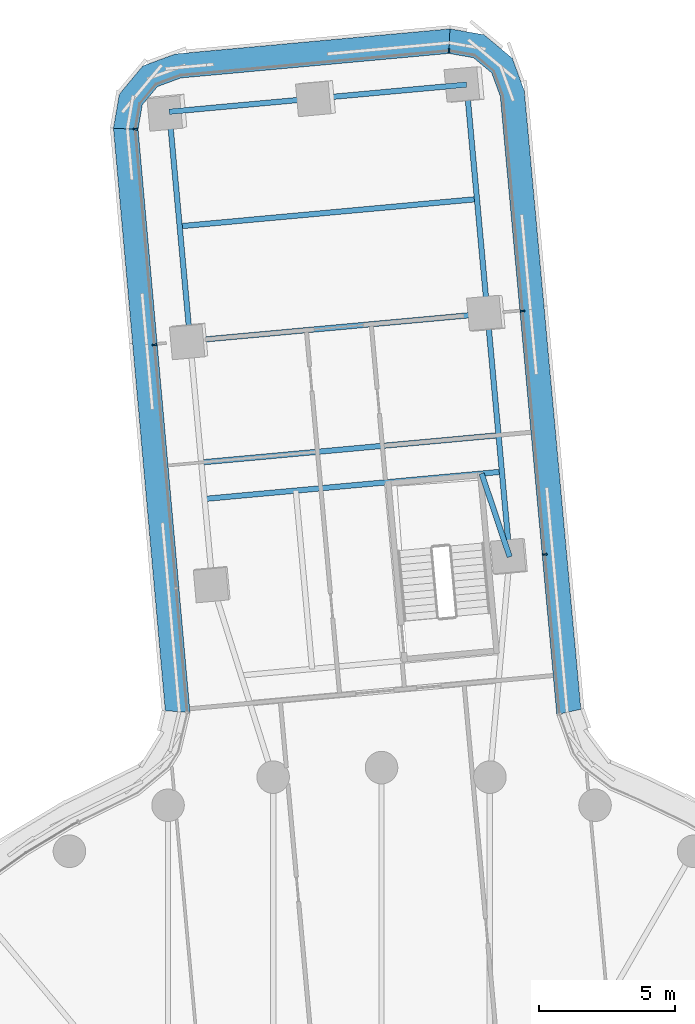
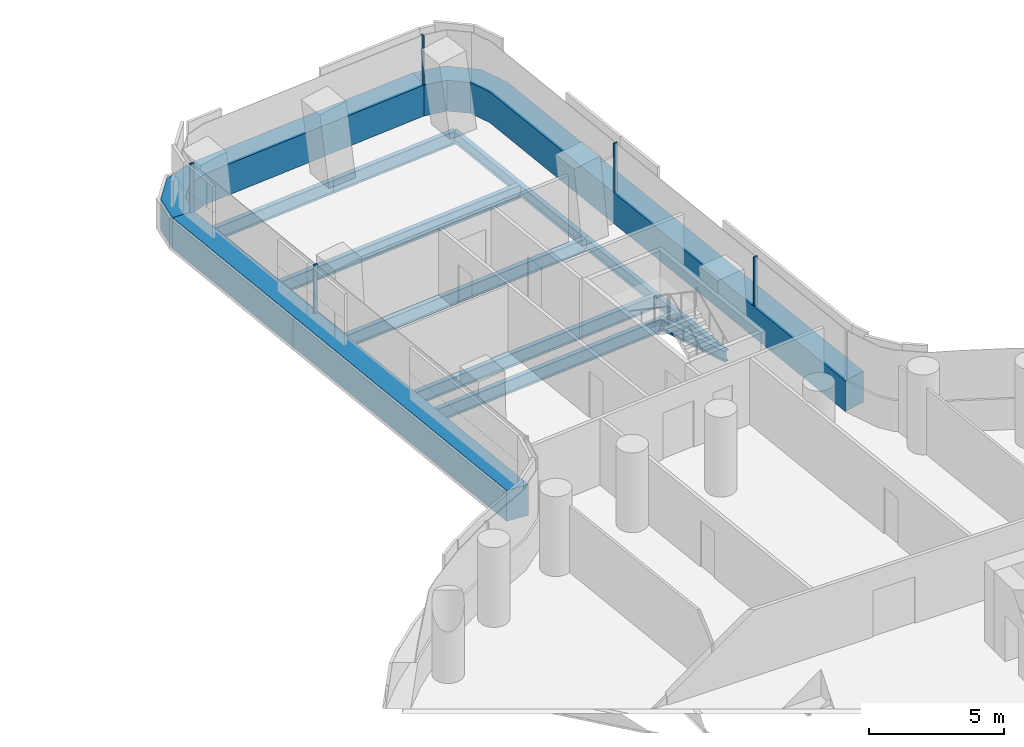
# One storey, part 15 of 31: 10 beams, 8 members, 3 elements without a shape of their own.
"""IFC4 building model written with IfcOpenShell, lengths in metres."""

from ifc_helpers import new_model, si_unit, direction, frame, origin, origin_2d, place, context, subcontext, project, spatial, polyline, rectangle, i_section, outline, extrude, material, layer, layer_set, material_profile, profile_set, type_object, element, aggregate, save


model = new_model("IFC4")

# Units and contexts
model_context = context("Model", 3, precision=1e-05, world=origin(), true_north=direction((0.0, 1.0)))
body_context = subcontext(model_context, "Body", "Model", "MODEL_VIEW")
ifc_project = project(units=[si_unit("LENGTHUNIT", "METRE"), si_unit("AREAUNIT", "SQUARE_METRE"), si_unit("VOLUMEUNIT", "CUBIC_METRE"), si_unit("PLANEANGLEUNIT", "RADIAN"), si_unit("MASSUNIT", "GRAM", prefix="KILO")], contexts=[model_context])

# Site, building, storey
site_placement = place(None, origin())
site = spatial("IfcSite", under=ifc_project, at=site_placement, CompositionType="ELEMENT")
building_placement = place(site_placement, origin())
building = spatial("IfcBuilding", under=site, at=building_placement, Name="Tamarind Cross Interchange Tower", CompositionType="ELEMENT")
storey_placement = place(building_placement, frame((0.0, 0.0, 52.75)))
storey = spatial("IfcBuildingStorey", under=building, at=storey_placement, Name="L11", CompositionType="ELEMENT", Elevation=52.75)

# Beams
ifc_material_1 = material(Name="Steel Q355B", Category="steel")
ifc_material_profile_1 = material_profile(ifc_material_1, i_section(OverallWidth=0.198974609375, OverallDepth=0.49609375, WebThickness=0.009033203125, FlangeThickness=0.013916015625, FilletRadius=0.012939453125, at=origin_2d()), Name="HN 496x199x9x14")
ifc_profile_set_1 = profile_set([ifc_material_profile_1], Name="Steel Q355B")
beam_type_1 = type_object("IfcBeamType", Name="Composite beam HN 496x199x9x14 Q355B", PredefinedType="BEAM", material=ifc_profile_set_1)
beam_1_placement = place(storey_placement, frame((3.13037109375, 48.16796875, -0.387939453125), z_axis=(0.091068244839, -0.995844653941, 0.0), x_axis=(0.995844653941, 0.091068244839, 0.0)))
element("IfcBeam", 1, at=beam_1_placement, inside=storey, type_object=beam_type_1, Name="Beam N-edgeem5", PredefinedType="BEAM", context=body_context, shape_type="SweptSolid", body=[
    extrude(i_section(OverallWidth=0.198974609375, OverallDepth=0.49609375, WebThickness=0.009033203125, FlangeThickness=0.013916015625, FilletRadius=0.012939453125, at=origin_2d()), origin(), (0.0, 0.0, 1.0), 8.47412109375),
])
beam_2_placement = place(storey_placement, frame((3.902099609375, 39.72900390625, -0.387939453125), z_axis=(0.091037133423, -0.995847498535, 0.0), x_axis=(0.995847498535, 0.091037133423, 0.0)))
element("IfcBeam", 2, at=beam_2_placement, inside=storey, type_object=beam_type_1, Name="Beam N-edgeem6", PredefinedType="BEAM", context=body_context, shape_type="SweptSolid", body=[
    extrude(i_section(OverallWidth=0.198974609375, OverallDepth=0.49609375, WebThickness=0.009033203125, FlangeThickness=0.013916015625, FilletRadius=0.012939453125, at=origin_2d()), origin(), (0.0, 0.0, 1.0), 9.0),
])
beam_3_placement = place(storey_placement, frame((-7.823974609375, 47.166259765625, -0.387939453125), z_axis=(0.091068244839, -0.995844653941, 0.0), x_axis=(0.995844653941, 0.091068244839, 0.0)))
element("IfcBeam", 3, at=beam_3_placement, inside=storey, type_object=beam_type_1, Name="Beam N-edgeep2", PredefinedType="BEAM", context=body_context, shape_type="SweptSolid", body=[
    extrude(i_section(OverallWidth=0.198974609375, OverallDepth=0.49609375, WebThickness=0.009033203125, FlangeThickness=0.013916015625, FilletRadius=0.012939453125, at=origin_2d()), origin(), (0.0, 0.0, 1.0), 8.47412109375),
])
beam_4_placement = place(storey_placement, frame((4.721435546875, 30.766357421875, -0.387939453125), z_axis=(-0.319234550756, 0.947675736528, 0.0), x_axis=(-0.947675736528, -0.319234550756, 0.0)))
element("IfcBeam", 4, at=beam_4_placement, inside=storey, type_object=beam_type_1, Name="Beam N-tr0", PredefinedType="BEAM", context=body_context, shape_type="SweptSolid", body=[
    extrude(i_section(OverallWidth=0.198974609375, OverallDepth=0.49609375, WebThickness=0.009033203125, FlangeThickness=0.013916015625, FilletRadius=0.012939453125, at=origin_2d()), origin(), (0.0, 0.0, 1.0), 3.238037109375),
])
ifc_material_profile_2 = material_profile(ifc_material_1, i_section(OverallWidth=0.199951171875, OverallDepth=0.60009765625, WebThickness=0.010986328125, FlangeThickness=0.01708984375, FilletRadius=0.012939453125, at=origin_2d()), Name="HN 600x200x11x17")
ifc_profile_set_2 = profile_set([ifc_material_profile_2], Name="Steel Q355B")
beam_type_2 = type_object("IfcBeamType", Name="Composite beam HN 600x200x11x17 Q355B", PredefinedType="BEAM", material=ifc_profile_set_2)
beam_5_placement = place(storey_placement, frame((3.13037109375, 48.16796875, -0.43994140625), z_axis=(-0.995842841789, -0.09108805881, 0.0), x_axis=(0.09108805881, -0.995842841789, 0.0)))
element("IfcBeam", 5, at=beam_5_placement, inside=storey, type_object=beam_type_2, Name="Beam N-tip0", PredefinedType="BEAM", context=body_context, shape_type="SweptSolid", body=[
    extrude(i_section(OverallWidth=0.199951171875, OverallDepth=0.60009765625, WebThickness=0.010986328125, FlangeThickness=0.01708984375, FilletRadius=0.012939453125, at=origin_2d()), origin(), (0.0, 0.0, 1.0), 5.5),
])
beam_6_placement = place(storey_placement, frame((-2.3466796875, 47.6669921875, -0.43994140625), z_axis=(-0.995847235338, -0.091040012466, 0.0), x_axis=(0.091040012466, -0.995847235338, 0.0)))
element("IfcBeam", 6, at=beam_6_placement, inside=storey, type_object=beam_type_2, Name="Beam N-tip1", PredefinedType="BEAM", context=body_context, shape_type="SweptSolid", body=[
    extrude(i_section(OverallWidth=0.199951171875, OverallDepth=0.60009765625, WebThickness=0.010986328125, FlangeThickness=0.01708984375, FilletRadius=0.012939453125, at=origin_2d()), origin(), (0.0, 0.0, 1.0), 5.500244140625),
])
for number, where, z_axis, x_axis, name in (
    (7, (4.4345703125, 33.9033203125, -0.43994140625), (-0.995845038897, -0.091064035182, 0.0), (0.091064035182, -0.995845038897, 0.0), "Beam N-x334"),
    (8, (3.902099609375, 39.72900390625, -0.43994140625), (-0.995845038897, -0.091064035182, 0.0), (0.091064035182, -0.995845038897, 0.0), "Beam N-x393"),
    (9, (4.311767578125, 35.24755859375, -0.43994140625), (-0.995847051381, -0.091042024667, 0.0), (0.091042024667, -0.995847051381, 0.0), "Beam N-x348"),
):
    element("IfcBeam", number, at=place(storey_placement, frame(where, z_axis=z_axis, x_axis=x_axis)), inside=storey, type_object=beam_type_2, Name=name, PredefinedType="BEAM", context=body_context, shape_type="SweptSolid", body=[
        extrude(i_section(OverallWidth=0.199951171875, OverallDepth=0.60009765625, WebThickness=0.010986328125, FlangeThickness=0.01708984375, FilletRadius=0.012939453125, at=origin_2d()), origin(), (0.0, 0.0, 1.0), 11.0),
    ])
beam_7_placement = place(storey_placement, frame((3.51611328125, 43.948486328125, -0.43994140625), z_axis=(-0.99584485484, -0.09106604795, 0.0), x_axis=(0.09106604795, -0.99584485484, 0.0)))
element("IfcBeam", 10, at=beam_7_placement, inside=storey, type_object=beam_type_2, Name="Beam N-x435", PredefinedType="BEAM", context=body_context, shape_type="SweptSolid", body=[
    extrude(i_section(OverallWidth=0.199951171875, OverallDepth=0.60009765625, WebThickness=0.010986328125, FlangeThickness=0.01708984375, FilletRadius=0.012939453125, at=origin_2d()), origin(), (0.0, 0.0, 1.0), 10.999755859375),
])

# Curtain wall, member
ifc_material_2 = material(Name="Aluminium 6063-T6", Category="aluminium")
ifc_layer = layer(ifc_material_2, 0.159912109375)
ifc_layer_set = layer_set([ifc_layer], Name="Aluminium 6063-T6")
curtain_wall_type = type_object("IfcCurtainWallType", Name="Office curtain wall, 9.0 m bays", PredefinedType="NOTDEFINED", material=ifc_layer_set)
curtain_wall_1_placement = place(storey_placement, origin())
curtain_wall_1 = element("IfcCurtainWall", 11, at=curtain_wall_1_placement, inside=storey, type_object=curtain_wall_type, Name="CWS-L11-00", PredefinedType="NOTDEFINED")
ifc_material_3 = material(Name="Aluminium and insulated spandrel panel", Category="aluminium")
member_type_1 = type_object("IfcMemberType", Name="Floor-edge blade transom", PredefinedType="USERDEFINED", material=ifc_material_3)
member_1_placement = place(storey_placement, origin())
member_1 = element("IfcMember", 12, at=member_1_placement, type_object=member_type_1, Name="CWT-L11-00", ObjectType="TRANSOM", PredefinedType="USERDEFINED", context=body_context, shape_type="SweptSolid", body=[
    extrude(outline(polyline([(2.48388671875, 49.313720703125), (-7.39599609375, 48.410400390625), (-8.2548828125, 48.093994140625), (-8.814453125, 47.421875), (-8.9697265625, 46.51953125), (-9.876708984375, 46.556640625), (-9.660400390625, 47.812255859375), (-8.792236328125, 48.855224609375), (-7.595947265625, 49.2958984375), (2.52001953125, 50.220703125), (2.48388671875, 49.313720703125)])), origin(), (0.0, 0.0, 1.0), 1.39990234375),
])

curtain_wall_2_placement = place(storey_placement, origin())
curtain_wall_2 = element("IfcCurtainWall", 13, at=curtain_wall_2_placement, inside=storey, type_object=curtain_wall_type, Name="CWS-L11-01", PredefinedType="NOTDEFINED")
member_2_placement = place(storey_placement, origin())
member_2 = element("IfcMember", 14, at=member_2_placement, type_object=member_type_1, Name="CWT-L11-01", ObjectType="TRANSOM", PredefinedType="USERDEFINED", context=body_context, shape_type="SweptSolid", body=[
    extrude(outline(polyline([(-8.9697265625, 46.51953125), (-7.056640625, 25.03173828125), (-7.966064453125, 25.0966796875), (-9.876708984375, 46.556640625), (-8.9697265625, 46.51953125)])), origin(), (0.0, 0.0, 1.0), 1.39990234375),
])

curtain_wall_3_placement = place(storey_placement, origin())
curtain_wall_3 = element("IfcCurtainWall", 15, at=curtain_wall_3_placement, inside=storey, type_object=curtain_wall_type, Name="CWS-L11-15", PredefinedType="NOTDEFINED")
member_3_placement = place(storey_placement, origin())
member_3 = element("IfcMember", 16, at=member_3_placement, type_object=member_type_1, Name="CWT-L11-15", ObjectType="TRANSOM", PredefinedType="USERDEFINED", context=body_context, shape_type="SweptSolid", body=[
    extrude(outline(polyline([(6.457763671875, 24.954833984375), (4.37451171875, 47.73974609375), (4.05810546875, 48.598876953125), (3.385986328125, 49.158203125), (2.48388671875, 49.313720703125), (2.52001953125, 50.220703125), (3.7763671875, 50.00439453125), (4.8193359375, 49.13623046875), (5.260009765625, 47.939697265625), (7.34375, 25.150146484375), (6.457763671875, 24.954833984375)])), origin(), (0.0, 0.0, 1.0), 1.39990234375),
])

# Member
ifc_material_profile_3 = material_profile(ifc_material_2, rectangle(XDim=0.06005859375, YDim=0.159912109375, at=origin_2d()), Name="Mullion CW1")
ifc_profile_set_3 = profile_set([ifc_material_profile_3], Name="Aluminium 6063-T6")
member_type_2 = type_object("IfcMemberType", Name="Mullion CW1", PredefinedType="MULLION", material=ifc_profile_set_3)
member_4_placement = place(storey_placement, frame((2.488037109375, 49.41455078125, 1.39990234375), z_axis=(0.0, 0.0, 1.0), x_axis=(-0.999211117821, 0.039713247455, 0.0)))
member_4 = element("IfcMember", 17, at=member_4_placement, type_object=member_type_2, Name="CWM-L11-00-00", PredefinedType="MULLION", context=body_context, shape_type="SweptSolid", body=[
    extrude(rectangle(XDim=0.06005859375, YDim=0.159912109375, at=origin_2d()), origin(), (0.0, 0.0, 1.0), 2.210205078125),
])

aggregate(curtain_wall_1, [member_4, member_1])

member_5_placement = place(storey_placement, frame((-9.070556640625, 46.523681640625, 1.39990234375), z_axis=(0.0, 0.0, 1.0), x_axis=(-0.040899780717, -0.999163253897, 0.0)))
member_5 = element("IfcMember", 18, at=member_5_placement, type_object=member_type_2, Name="CWM-L11-01-00", PredefinedType="MULLION", context=body_context, shape_type="SweptSolid", body=[
    extrude(rectangle(XDim=0.06005859375, YDim=0.159912109375, at=origin_2d()), origin(), (0.0, 0.0, 1.0), 2.210205078125),
])

member_6_placement = place(storey_placement, frame((-8.36328125, 38.57861328125, 1.39990234375), z_axis=(0.0, 0.0, 1.0), x_axis=(0.088684340968, -0.996059781171, 0.0)))
member_6 = element("IfcMember", 19, at=member_6_placement, type_object=member_type_2, Name="CWM-L11-01-01", PredefinedType="MULLION", context=body_context, shape_type="SweptSolid", body=[
    extrude(rectangle(XDim=0.06005859375, YDim=0.159912109375, at=origin_2d()), origin(), (0.0, 0.0, 1.0), 2.210205078125),
])

aggregate(curtain_wall_2, [member_5, member_6, member_2])

member_7_placement = place(storey_placement, frame((6.018310546875, 30.859375, 1.39990234375), z_axis=(0.0, 0.0, 1.0), x_axis=(-0.091049727316, 0.995846347162, 0.0)))
member_7 = element("IfcMember", 20, at=member_7_placement, type_object=member_type_2, Name="CWM-L11-15-01", PredefinedType="MULLION", context=body_context, shape_type="SweptSolid", body=[
    extrude(rectangle(XDim=0.06005859375, YDim=0.159912109375, at=origin_2d()), origin(), (0.0, 0.0, 1.0), 2.210205078125),
])

member_8_placement = place(storey_placement, frame((5.198974609375, 39.8212890625, 1.39990234375), z_axis=(0.0, 0.0, 1.0), x_axis=(-0.091049727316, 0.995846347162, 0.0)))
member_8 = element("IfcMember", 21, at=member_8_placement, type_object=member_type_2, Name="CWM-L11-15-02", PredefinedType="MULLION", context=body_context, shape_type="SweptSolid", body=[
    extrude(rectangle(XDim=0.06005859375, YDim=0.159912109375, at=origin_2d()), origin(), (0.0, 0.0, 1.0), 2.210205078125),
])

aggregate(curtain_wall_3, [member_7, member_8, member_3])

save(model, "model.ifc")
